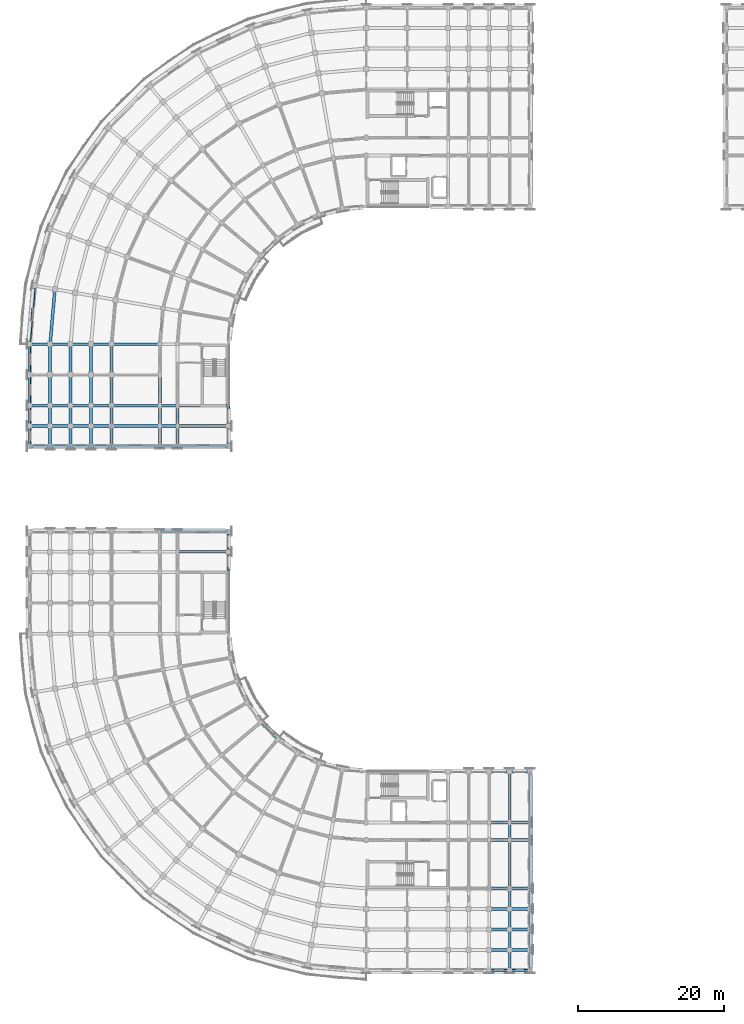
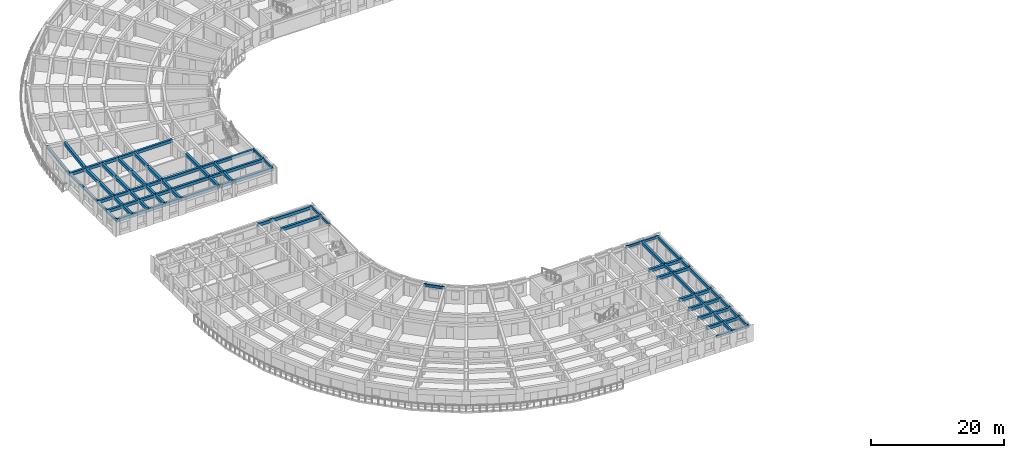
# One storey, part 7 of 57: 91 beams.
"""IFC4 building model written with IfcOpenShell, lengths in metres."""

from ifc_helpers import new_model, si_unit, direction, frame, origin, origin_2d, place, context, subcontext, project, spatial, rectangle, extrude, material, material_profile, profile_set, type_object, element, save


model = new_model("IFC4")

# Units and contexts
model_context = context("Model", 3, precision=1e-05, world=origin(), true_north=direction((0.0, 1.0)))
body_context = subcontext(model_context, "Body", "Model", "MODEL_VIEW")
ifc_project = project(units=[si_unit("LENGTHUNIT", "METRE"), si_unit("AREAUNIT", "SQUARE_METRE"), si_unit("VOLUMEUNIT", "CUBIC_METRE"), si_unit("PLANEANGLEUNIT", "RADIAN"), si_unit("MASSUNIT", "GRAM", prefix="KILO")], contexts=[model_context])

# Site, building, storey
site_placement = place(None, origin())
site = spatial("IfcSite", under=ifc_project, at=site_placement, CompositionType="ELEMENT")
building_placement = place(site_placement, origin())
building = spatial("IfcBuilding", under=site, at=building_placement, Name="Kiranvali Square Residences", CompositionType="ELEMENT")
storey_placement = place(building_placement, frame((0.0, 0.0, 18.14990234375)))
storey = spatial("IfcBuildingStorey", under=building, at=storey_placement, Name="L05", CompositionType="ELEMENT", Elevation=18.14990234375)

# Beams
ifc_material_1 = material(Name="Concrete M40 (40 MPa)", Category="concrete")
ifc_material_profile_1 = material_profile(ifc_material_1, rectangle(XDim=0.35009765625, YDim=0.550048828125, at=origin_2d()), Name="RC 350x550")
ifc_profile_set_1 = profile_set([ifc_material_profile_1], Name="Concrete M40 (40 MPa)")
beam_type_1 = type_object("IfcBeamType", Name="BM-M40-350x550", PredefinedType="BEAM", material=ifc_profile_set_1)
beam_1_placement = place(storey_placement, frame((20.0, 87.800048828125, 2.655029296875), z_axis=(-1.0, 0.0, 0.0), x_axis=(0.0, -1.0, 0.0)))
element("IfcBeam", 1, at=beam_1_placement, inside=storey, type_object=beam_type_1, Name="L05 beam BM-A-L05-A2T0-23", PredefinedType="BEAM", context=body_context, shape_type="SweptSolid", body=[
    extrude(rectangle(XDim=0.35009765625, YDim=0.550048828125, at=origin_2d()), origin(), (0.0, 0.0, 1.0), 6.60009765625),
])
beam_2_placement = place(storey_placement, frame((13.39990234375, 87.800048828125, 2.655029296875), z_axis=(-1.0, 0.0, 0.0), x_axis=(0.0, -1.0, 0.0)))
element("IfcBeam", 2, at=beam_2_placement, inside=storey, type_object=beam_type_1, Name="L05 beam BM-A-L05-A2T0-34", PredefinedType="BEAM", context=body_context, shape_type="SweptSolid", body=[
    extrude(rectangle(XDim=0.35009765625, YDim=0.550048828125, at=origin_2d()), origin(), (0.0, 0.0, 1.0), 2.7998046875),
])
for number, where, z_axis, x_axis, name in (
    (3, (10.60009765625, 87.800048828125, 2.655029296875), (-1.0, 0.0, 0.0), (0.0, -1.0, 0.0), "L05 beam BM-A-L05-A2T0-45"),
    (4, (7.800048828125, 87.800048828125, 2.655029296875), (-1.0, 0.0, 0.0), (0.0, -1.0, 0.0), "L05 beam BM-A-L05-A2T0-56"),
    (5, (5.0, 87.800048828125, 2.655029296875), (-1.0, 0.0, 0.0), (0.0, -1.0, 0.0), "L05 beam BM-A-L05-A2T0-67"),
):
    element("IfcBeam", number, at=place(storey_placement, frame(where, z_axis=z_axis, x_axis=x_axis)), inside=storey, type_object=beam_type_1, Name=name, PredefinedType="BEAM", context=body_context, shape_type="SweptSolid", body=[
        extrude(rectangle(XDim=0.35009765625, YDim=0.550048828125, at=origin_2d()), origin(), (0.0, 0.0, 1.0), 2.800048828125),
    ])
beam_3_placement = place(storey_placement, frame((29.39990234375, 79.39990234375, 2.655029296875), z_axis=(-1.0, 0.0, 0.0), x_axis=(0.0, -1.0, 0.0)))
element("IfcBeam", 6, at=beam_3_placement, inside=storey, type_object=beam_type_1, Name="L05 beam BM-A-L05-A2T1-01", PredefinedType="BEAM", context=body_context, shape_type="SweptSolid", body=[
    extrude(rectangle(XDim=0.35009765625, YDim=0.550048828125, at=origin_2d()), origin(), (0.0, 0.0, 1.0), 7.0),
])
beam_4_placement = place(storey_placement, frame((22.39990234375, 79.39990234375, 2.655029296875), z_axis=(-1.0, 0.0, 0.0), x_axis=(0.0, -1.0, 0.0)))
element("IfcBeam", 7, at=beam_4_placement, inside=storey, type_object=beam_type_1, Name="L05 beam BM-A-L05-A2T1-12", PredefinedType="BEAM", context=body_context, shape_type="SweptSolid", body=[
    extrude(rectangle(XDim=0.35009765625, YDim=0.550048828125, at=origin_2d()), origin(), (0.0, 0.0, 1.0), 2.39990234375),
])
beam_5_placement = place(storey_placement, frame((20.0, 79.39990234375, 2.655029296875), z_axis=(-1.0, 0.0, 0.0), x_axis=(0.0, -1.0, 0.0)))
element("IfcBeam", 8, at=beam_5_placement, inside=storey, type_object=beam_type_1, Name="L05 beam BM-A-L05-A2T1-23", PredefinedType="BEAM", context=body_context, shape_type="SweptSolid", body=[
    extrude(rectangle(XDim=0.35009765625, YDim=0.550048828125, at=origin_2d()), origin(), (0.0, 0.0, 1.0), 6.60009765625),
])
beam_6_placement = place(storey_placement, frame((13.39990234375, 79.39990234375, 2.655029296875), z_axis=(-1.0, 0.0, 0.0), x_axis=(0.0, -1.0, 0.0)))
element("IfcBeam", 9, at=beam_6_placement, inside=storey, type_object=beam_type_1, Name="L05 beam BM-A-L05-A2T1-34", PredefinedType="BEAM", context=body_context, shape_type="SweptSolid", body=[
    extrude(rectangle(XDim=0.35009765625, YDim=0.550048828125, at=origin_2d()), origin(), (0.0, 0.0, 1.0), 2.7998046875),
])
for number, where, z_axis, x_axis, name in (
    (10, (10.60009765625, 79.39990234375, 2.655029296875), (-1.0, 0.0, 0.0), (0.0, -1.0, 0.0), "L05 beam BM-A-L05-A2T1-45"),
    (11, (7.800048828125, 79.39990234375, 2.655029296875), (-1.0, 0.0, 0.0), (0.0, -1.0, 0.0), "L05 beam BM-A-L05-A2T1-56"),
    (12, (5.0, 79.39990234375, 2.655029296875), (-1.0, 0.0, 0.0), (0.0, -1.0, 0.0), "L05 beam BM-A-L05-A2T1-67"),
):
    element("IfcBeam", number, at=place(storey_placement, frame(where, z_axis=z_axis, x_axis=x_axis)), inside=storey, type_object=beam_type_1, Name=name, PredefinedType="BEAM", context=body_context, shape_type="SweptSolid", body=[
        extrude(rectangle(XDim=0.35009765625, YDim=0.550048828125, at=origin_2d()), origin(), (0.0, 0.0, 1.0), 2.800048828125),
    ])
beam_7_placement = place(storey_placement, frame((29.39990234375, 76.60009765625, 2.655029296875), z_axis=(-1.0, 0.0, 0.0), x_axis=(0.0, -1.0, 0.0)))
element("IfcBeam", 13, at=beam_7_placement, inside=storey, type_object=beam_type_1, Name="L05 beam BM-A-L05-A2T2-01", PredefinedType="BEAM", context=body_context, shape_type="SweptSolid", body=[
    extrude(rectangle(XDim=0.35009765625, YDim=0.550048828125, at=origin_2d()), origin(), (0.0, 0.0, 1.0), 7.0),
])
beam_8_placement = place(storey_placement, frame((22.39990234375, 76.60009765625, 2.655029296875), z_axis=(-1.0, 0.0, 0.0), x_axis=(0.0, -1.0, 0.0)))
element("IfcBeam", 14, at=beam_8_placement, inside=storey, type_object=beam_type_1, Name="L05 beam BM-A-L05-A2T2-12", PredefinedType="BEAM", context=body_context, shape_type="SweptSolid", body=[
    extrude(rectangle(XDim=0.35009765625, YDim=0.550048828125, at=origin_2d()), origin(), (0.0, 0.0, 1.0), 2.39990234375),
])
beam_9_placement = place(storey_placement, frame((20.0, 76.60009765625, 2.655029296875), z_axis=(-1.0, 0.0, 0.0), x_axis=(0.0, -1.0, 0.0)))
element("IfcBeam", 15, at=beam_9_placement, inside=storey, type_object=beam_type_1, Name="L05 beam BM-A-L05-A2T2-23", PredefinedType="BEAM", context=body_context, shape_type="SweptSolid", body=[
    extrude(rectangle(XDim=0.35009765625, YDim=0.550048828125, at=origin_2d()), origin(), (0.0, 0.0, 1.0), 6.60009765625),
])
beam_10_placement = place(storey_placement, frame((13.39990234375, 76.60009765625, 2.655029296875), z_axis=(-1.0, 0.0, 0.0), x_axis=(0.0, -1.0, 0.0)))
element("IfcBeam", 16, at=beam_10_placement, inside=storey, type_object=beam_type_1, Name="L05 beam BM-A-L05-A2T2-34", PredefinedType="BEAM", context=body_context, shape_type="SweptSolid", body=[
    extrude(rectangle(XDim=0.35009765625, YDim=0.550048828125, at=origin_2d()), origin(), (0.0, 0.0, 1.0), 2.7998046875),
])
for number, where, z_axis, x_axis, name in (
    (17, (10.60009765625, 76.60009765625, 2.655029296875), (-1.0, 0.0, 0.0), (0.0, -1.0, 0.0), "L05 beam BM-A-L05-A2T2-45"),
    (18, (7.800048828125, 76.60009765625, 2.655029296875), (-1.0, 0.0, 0.0), (0.0, -1.0, 0.0), "L05 beam BM-A-L05-A2T2-56"),
    (19, (5.0, 76.60009765625, 2.655029296875), (-1.0, 0.0, 0.0), (0.0, -1.0, 0.0), "L05 beam BM-A-L05-A2T2-67"),
):
    element("IfcBeam", number, at=place(storey_placement, frame(where, z_axis=z_axis, x_axis=x_axis)), inside=storey, type_object=beam_type_1, Name=name, PredefinedType="BEAM", context=body_context, shape_type="SweptSolid", body=[
        extrude(rectangle(XDim=0.35009765625, YDim=0.550048828125, at=origin_2d()), origin(), (0.0, 0.0, 1.0), 2.800048828125),
    ])
beam_11_placement = place(storey_placement, frame((29.39990234375, 73.800048828125, 2.655029296875), z_axis=(-1.0, 0.0, 0.0), x_axis=(0.0, -1.0, 0.0)))
element("IfcBeam", 20, at=beam_11_placement, inside=storey, type_object=beam_type_1, Name="L05 beam BM-A-L05-A2T3-01", PredefinedType="BEAM", context=body_context, shape_type="SweptSolid", body=[
    extrude(rectangle(XDim=0.35009765625, YDim=0.550048828125, at=origin_2d()), origin(), (0.0, 0.0, 1.0), 7.0),
])
beam_12_placement = place(storey_placement, frame((22.39990234375, 73.800048828125, 2.655029296875), z_axis=(-1.0, 0.0, 0.0), x_axis=(0.0, -1.0, 0.0)))
element("IfcBeam", 21, at=beam_12_placement, inside=storey, type_object=beam_type_1, Name="L05 beam BM-A-L05-A2T3-12", PredefinedType="BEAM", context=body_context, shape_type="SweptSolid", body=[
    extrude(rectangle(XDim=0.35009765625, YDim=0.550048828125, at=origin_2d()), origin(), (0.0, 0.0, 1.0), 2.39990234375),
])
beam_13_placement = place(storey_placement, frame((20.0, 73.800048828125, 2.655029296875), z_axis=(-1.0, 0.0, 0.0), x_axis=(0.0, -1.0, 0.0)))
element("IfcBeam", 22, at=beam_13_placement, inside=storey, type_object=beam_type_1, Name="L05 beam BM-A-L05-A2T3-23", PredefinedType="BEAM", context=body_context, shape_type="SweptSolid", body=[
    extrude(rectangle(XDim=0.35009765625, YDim=0.550048828125, at=origin_2d()), origin(), (0.0, 0.0, 1.0), 6.60009765625),
])
beam_14_placement = place(storey_placement, frame((13.39990234375, 73.800048828125, 2.655029296875), z_axis=(-1.0, 0.0, 0.0), x_axis=(0.0, -1.0, 0.0)))
element("IfcBeam", 23, at=beam_14_placement, inside=storey, type_object=beam_type_1, Name="L05 beam BM-A-L05-A2T3-34", PredefinedType="BEAM", context=body_context, shape_type="SweptSolid", body=[
    extrude(rectangle(XDim=0.35009765625, YDim=0.550048828125, at=origin_2d()), origin(), (0.0, 0.0, 1.0), 2.7998046875),
])
for number, where, z_axis, x_axis, name in (
    (24, (10.60009765625, 73.800048828125, 2.655029296875), (-1.0, 0.0, 0.0), (0.0, -1.0, 0.0), "L05 beam BM-A-L05-A2T3-45"),
    (25, (7.800048828125, 73.800048828125, 2.655029296875), (-1.0, 0.0, 0.0), (0.0, -1.0, 0.0), "L05 beam BM-A-L05-A2T3-56"),
    (26, (5.0, 73.800048828125, 2.655029296875), (-1.0, 0.0, 0.0), (0.0, -1.0, 0.0), "L05 beam BM-A-L05-A2T3-67"),
):
    element("IfcBeam", number, at=place(storey_placement, frame(where, z_axis=z_axis, x_axis=x_axis)), inside=storey, type_object=beam_type_1, Name=name, PredefinedType="BEAM", context=body_context, shape_type="SweptSolid", body=[
        extrude(rectangle(XDim=0.35009765625, YDim=0.550048828125, at=origin_2d()), origin(), (0.0, 0.0, 1.0), 2.800048828125),
    ])
beam_15_placement = place(storey_placement, frame((67.800048828125, 29.39990234375, 2.655029296875), z_axis=(0.0, -1.0, 0.0), x_axis=(1.0, 0.0, 0.0)))
element("IfcBeam", 27, at=beam_15_placement, inside=storey, type_object=beam_type_1, Name="L05 beam BM-C-L05-A1T4-01", PredefinedType="BEAM", context=body_context, shape_type="SweptSolid", body=[
    extrude(rectangle(XDim=0.35009765625, YDim=0.550048828125, at=origin_2d()), origin(), (0.0, 0.0, 1.0), 7.0),
])
beam_16_placement = place(storey_placement, frame((67.800048828125, 22.39990234375, 2.655029296875), z_axis=(0.0, -1.0, 0.0), x_axis=(1.0, 0.0, 0.0)))
element("IfcBeam", 28, at=beam_16_placement, inside=storey, type_object=beam_type_1, Name="L05 beam BM-C-L05-A1T4-12", PredefinedType="BEAM", context=body_context, shape_type="SweptSolid", body=[
    extrude(rectangle(XDim=0.35009765625, YDim=0.550048828125, at=origin_2d()), origin(), (0.0, 0.0, 1.0), 2.39990234375),
])
beam_17_placement = place(storey_placement, frame((67.800048828125, 20.0, 2.655029296875), z_axis=(0.0, -1.0, 0.0), x_axis=(1.0, 0.0, 0.0)))
element("IfcBeam", 29, at=beam_17_placement, inside=storey, type_object=beam_type_1, Name="L05 beam BM-C-L05-A1T4-23", PredefinedType="BEAM", context=body_context, shape_type="SweptSolid", body=[
    extrude(rectangle(XDim=0.35009765625, YDim=0.550048828125, at=origin_2d()), origin(), (0.0, 0.0, 1.0), 6.60009765625),
])
beam_18_placement = place(storey_placement, frame((67.800048828125, 13.39990234375, 2.655029296875), z_axis=(0.0, -1.0, 0.0), x_axis=(1.0, 0.0, 0.0)))
element("IfcBeam", 30, at=beam_18_placement, inside=storey, type_object=beam_type_1, Name="L05 beam BM-C-L05-A1T4-34", PredefinedType="BEAM", context=body_context, shape_type="SweptSolid", body=[
    extrude(rectangle(XDim=0.35009765625, YDim=0.550048828125, at=origin_2d()), origin(), (0.0, 0.0, 1.0), 2.7998046875),
])
for number, where, z_axis, x_axis, name in (
    (31, (67.800048828125, 10.60009765625, 2.655029296875), (0.0, -1.0, 0.0), (1.0, 0.0, 0.0), "L05 beam BM-C-L05-A1T4-45"),
    (32, (67.800048828125, 7.800048828125, 2.655029296875), (0.0, -1.0, 0.0), (1.0, 0.0, 0.0), "L05 beam BM-C-L05-A1T4-56"),
    (33, (67.800048828125, 5.0, 2.695068359375), (0.0, -1.0, 0.0), (1.0, 0.0, 0.0), "L05 beam BM-C-L05-A1T4-67"),
):
    element("IfcBeam", number, at=place(storey_placement, frame(where, z_axis=z_axis, x_axis=x_axis)), inside=storey, type_object=beam_type_1, Name=name, PredefinedType="BEAM", context=body_context, shape_type="SweptSolid", body=[
        extrude(rectangle(XDim=0.35009765625, YDim=0.550048828125, at=origin_2d()), origin(), (0.0, 0.0, 1.0), 2.800048828125),
    ])
beam_19_placement = place(storey_placement, frame((70.60009765625, 29.39990234375, 2.655029296875), z_axis=(0.0, -1.0, 0.0), x_axis=(1.0, 0.0, 0.0)))
element("IfcBeam", 34, at=beam_19_placement, inside=storey, type_object=beam_type_1, Name="L05 beam BM-C-L05-A1T5-01", PredefinedType="BEAM", context=body_context, shape_type="SweptSolid", body=[
    extrude(rectangle(XDim=0.35009765625, YDim=0.550048828125, at=origin_2d()), origin(), (0.0, 0.0, 1.0), 7.0),
])
beam_20_placement = place(storey_placement, frame((70.60009765625, 22.39990234375, 2.655029296875), z_axis=(0.0, -1.0, 0.0), x_axis=(1.0, 0.0, 0.0)))
element("IfcBeam", 35, at=beam_20_placement, inside=storey, type_object=beam_type_1, Name="L05 beam BM-C-L05-A1T5-12", PredefinedType="BEAM", context=body_context, shape_type="SweptSolid", body=[
    extrude(rectangle(XDim=0.35009765625, YDim=0.550048828125, at=origin_2d()), origin(), (0.0, 0.0, 1.0), 2.39990234375),
])
beam_21_placement = place(storey_placement, frame((70.60009765625, 20.0, 2.655029296875), z_axis=(0.0, -1.0, 0.0), x_axis=(1.0, 0.0, 0.0)))
element("IfcBeam", 36, at=beam_21_placement, inside=storey, type_object=beam_type_1, Name="L05 beam BM-C-L05-A1T5-23", PredefinedType="BEAM", context=body_context, shape_type="SweptSolid", body=[
    extrude(rectangle(XDim=0.35009765625, YDim=0.550048828125, at=origin_2d()), origin(), (0.0, 0.0, 1.0), 6.60009765625),
])
beam_22_placement = place(storey_placement, frame((70.60009765625, 13.39990234375, 2.655029296875), z_axis=(0.0, -1.0, 0.0), x_axis=(1.0, 0.0, 0.0)))
element("IfcBeam", 37, at=beam_22_placement, inside=storey, type_object=beam_type_1, Name="L05 beam BM-C-L05-A1T5-34", PredefinedType="BEAM", context=body_context, shape_type="SweptSolid", body=[
    extrude(rectangle(XDim=0.35009765625, YDim=0.550048828125, at=origin_2d()), origin(), (0.0, 0.0, 1.0), 2.7998046875),
])
for number, where, z_axis, x_axis, name in (
    (38, (70.60009765625, 10.60009765625, 2.655029296875), (0.0, -1.0, 0.0), (1.0, 0.0, 0.0), "L05 beam BM-C-L05-A1T5-45"),
    (39, (70.60009765625, 7.800048828125, 2.655029296875), (0.0, -1.0, 0.0), (1.0, 0.0, 0.0), "L05 beam BM-C-L05-A1T5-56"),
    (40, (70.60009765625, 5.0, 2.695068359375), (0.0, -1.0, 0.0), (1.0, 0.0, 0.0), "L05 beam BM-C-L05-A1T5-67"),
):
    element("IfcBeam", number, at=place(storey_placement, frame(where, z_axis=z_axis, x_axis=x_axis)), inside=storey, type_object=beam_type_1, Name=name, PredefinedType="BEAM", context=body_context, shape_type="SweptSolid", body=[
        extrude(rectangle(XDim=0.35009765625, YDim=0.550048828125, at=origin_2d()), origin(), (0.0, 0.0, 1.0), 2.800048828125),
    ])
for number, where, z_axis, x_axis, name in (
    (41, (29.39990234375, 59.39990234375, 2.655029296875), (-1.0, 0.0, 0.0), (0.0, -1.0, 0.0), "L05 beam BM-C-L05-A2T2-01"),
    (42, (29.39990234375, 62.199951171875, 2.655029296875), (-1.0, 0.0, 0.0), (0.0, -1.0, 0.0), "L05 beam BM-C-L05-A2T3-01"),
):
    element("IfcBeam", number, at=place(storey_placement, frame(where, z_axis=z_axis, x_axis=x_axis)), inside=storey, type_object=beam_type_1, Name=name, PredefinedType="BEAM", context=body_context, shape_type="SweptSolid", body=[
        extrude(rectangle(XDim=0.35009765625, YDim=0.550048828125, at=origin_2d()), origin(), (0.0, 0.0, 1.0), 7.0),
    ])
beam_23_placement = place(storey_placement, frame((22.39990234375, 62.199951171875, 2.655029296875), z_axis=(-1.0, 0.0, 0.0), x_axis=(0.0, -1.0, 0.0)))
element("IfcBeam", 43, at=beam_23_placement, inside=storey, type_object=beam_type_1, Name="L05 beam BM-C-L05-A2T3-12", PredefinedType="BEAM", context=body_context, shape_type="SweptSolid", body=[
    extrude(rectangle(XDim=0.35009765625, YDim=0.550048828125, at=origin_2d()), origin(), (0.0, 0.0, 1.0), 2.39990234375),
])
ifc_material_2 = material(Name="Concrete M45 (45 MPa)", Category="concrete")
ifc_material_profile_2 = material_profile(ifc_material_2, rectangle(XDim=0.39990234375, YDim=0.550048828125, at=origin_2d()), Name="RC 400x550")
ifc_profile_set_2 = profile_set([ifc_material_profile_2], Name="Concrete M45 (45 MPa)")
beam_type_2 = type_object("IfcBeamType", Name="BM-M45-400x550", PredefinedType="BEAM", material=ifc_profile_set_2)
beam_24_placement = place(storey_placement, frame((5.65625, 95.301513671875, 2.655029296875), z_axis=(-0.087150058103, -0.996195195417, 0.0), x_axis=(0.996195195417, -0.087150058103, 0.0)))
element("IfcBeam", 44, at=beam_24_placement, inside=storey, type_object=beam_type_2, Name="L05 beam BM-A-L05-C08-R6", PredefinedType="BEAM", context=body_context, shape_type="SweptSolid", body=[
    extrude(rectangle(XDim=0.39990234375, YDim=0.550048828125, at=origin_2d()), origin(), (0.0, 0.0, 1.0), 7.530029296875),
])
beam_25_placement = place(storey_placement, frame((22.39990234375, 79.39990234375, 2.655029296875), z_axis=(0.0, -1.0, 0.0), x_axis=(1.0, 0.0, 0.0)))
element("IfcBeam", 45, at=beam_25_placement, inside=storey, type_object=beam_type_2, Name="L05 beam BM-A-L05-A2V1-R1", PredefinedType="BEAM", context=body_context, shape_type="SweptSolid", body=[
    extrude(rectangle(XDim=0.39990234375, YDim=0.550048828125, at=origin_2d()), origin(), (0.0, 0.0, 1.0), 2.7998046875),
])
beam_26_placement = place(storey_placement, frame((22.39990234375, 76.60009765625, 2.655029296875), z_axis=(0.0, -1.0, 0.0), x_axis=(1.0, 0.0, 0.0)))
element("IfcBeam", 46, at=beam_26_placement, inside=storey, type_object=beam_type_2, Name="L05 beam BM-A-L05-A2V2-R1", PredefinedType="BEAM", context=body_context, shape_type="SweptSolid", body=[
    extrude(rectangle(XDim=0.39990234375, YDim=0.550048828125, at=origin_2d()), origin(), (0.0, 0.0, 1.0), 2.800048828125),
])
beam_27_placement = place(storey_placement, frame((20.0, 83.60009765625, 2.655029296875), z_axis=(0.0, -1.0, 0.0), x_axis=(1.0, 0.0, 0.0)))
element("IfcBeam", 47, at=beam_27_placement, inside=storey, type_object=beam_type_2, Name="L05 beam BM-A-L05-A2V1-R2", PredefinedType="BEAM", context=body_context, shape_type="SweptSolid", body=[
    extrude(rectangle(XDim=0.39990234375, YDim=0.550048828125, at=origin_2d()), origin(), (0.0, 0.0, 1.0), 4.2001953125),
])
beam_28_placement = place(storey_placement, frame((20.0, 79.39990234375, 2.655029296875), z_axis=(0.0, -1.0, 0.0), x_axis=(1.0, 0.0, 0.0)))
element("IfcBeam", 48, at=beam_28_placement, inside=storey, type_object=beam_type_2, Name="L05 beam BM-A-L05-A2V2-R2", PredefinedType="BEAM", context=body_context, shape_type="SweptSolid", body=[
    extrude(rectangle(XDim=0.39990234375, YDim=0.550048828125, at=origin_2d()), origin(), (0.0, 0.0, 1.0), 2.7998046875),
])
beam_29_placement = place(storey_placement, frame((20.0, 76.60009765625, 2.655029296875), z_axis=(0.0, -1.0, 0.0), x_axis=(1.0, 0.0, 0.0)))
element("IfcBeam", 49, at=beam_29_placement, inside=storey, type_object=beam_type_2, Name="L05 beam BM-A-L05-A2V3-R2", PredefinedType="BEAM", context=body_context, shape_type="SweptSolid", body=[
    extrude(rectangle(XDim=0.39990234375, YDim=0.550048828125, at=origin_2d()), origin(), (0.0, 0.0, 1.0), 2.800048828125),
])
beam_30_placement = place(storey_placement, frame((13.39990234375, 87.800048828125, 2.655029296875), z_axis=(0.0, -1.0, 0.0), x_axis=(1.0, 0.0, 0.0)))
element("IfcBeam", 50, at=beam_30_placement, inside=storey, type_object=beam_type_2, Name="L05 beam BM-A-L05-A2V0-R3", PredefinedType="BEAM", context=body_context, shape_type="SweptSolid", body=[
    extrude(rectangle(XDim=0.39990234375, YDim=0.550048828125, at=origin_2d()), origin(), (0.0, 0.0, 1.0), 4.199951171875),
])
beam_31_placement = place(storey_placement, frame((13.39990234375, 83.60009765625, 2.655029296875), z_axis=(0.0, -1.0, 0.0), x_axis=(1.0, 0.0, 0.0)))
element("IfcBeam", 51, at=beam_31_placement, inside=storey, type_object=beam_type_2, Name="L05 beam BM-A-L05-A2V1-R3", PredefinedType="BEAM", context=body_context, shape_type="SweptSolid", body=[
    extrude(rectangle(XDim=0.39990234375, YDim=0.550048828125, at=origin_2d()), origin(), (0.0, 0.0, 1.0), 4.2001953125),
])
beam_32_placement = place(storey_placement, frame((13.39990234375, 79.39990234375, 2.655029296875), z_axis=(0.0, -1.0, 0.0), x_axis=(1.0, 0.0, 0.0)))
element("IfcBeam", 52, at=beam_32_placement, inside=storey, type_object=beam_type_2, Name="L05 beam BM-A-L05-A2V2-R3", PredefinedType="BEAM", context=body_context, shape_type="SweptSolid", body=[
    extrude(rectangle(XDim=0.39990234375, YDim=0.550048828125, at=origin_2d()), origin(), (0.0, 0.0, 1.0), 2.7998046875),
])
beam_33_placement = place(storey_placement, frame((13.39990234375, 76.60009765625, 2.655029296875), z_axis=(0.0, -1.0, 0.0), x_axis=(1.0, 0.0, 0.0)))
element("IfcBeam", 53, at=beam_33_placement, inside=storey, type_object=beam_type_2, Name="L05 beam BM-A-L05-A2V3-R3", PredefinedType="BEAM", context=body_context, shape_type="SweptSolid", body=[
    extrude(rectangle(XDim=0.39990234375, YDim=0.550048828125, at=origin_2d()), origin(), (0.0, 0.0, 1.0), 2.800048828125),
])
beam_34_placement = place(storey_placement, frame((10.60009765625, 87.800048828125, 2.655029296875), z_axis=(0.0, -1.0, 0.0), x_axis=(1.0, 0.0, 0.0)))
element("IfcBeam", 54, at=beam_34_placement, inside=storey, type_object=beam_type_2, Name="L05 beam BM-A-L05-A2V0-R4", PredefinedType="BEAM", context=body_context, shape_type="SweptSolid", body=[
    extrude(rectangle(XDim=0.39990234375, YDim=0.550048828125, at=origin_2d()), origin(), (0.0, 0.0, 1.0), 4.199951171875),
])
beam_35_placement = place(storey_placement, frame((10.60009765625, 83.60009765625, 2.655029296875), z_axis=(0.0, -1.0, 0.0), x_axis=(1.0, 0.0, 0.0)))
element("IfcBeam", 55, at=beam_35_placement, inside=storey, type_object=beam_type_2, Name="L05 beam BM-A-L05-A2V1-R4", PredefinedType="BEAM", context=body_context, shape_type="SweptSolid", body=[
    extrude(rectangle(XDim=0.39990234375, YDim=0.550048828125, at=origin_2d()), origin(), (0.0, 0.0, 1.0), 4.2001953125),
])
beam_36_placement = place(storey_placement, frame((10.60009765625, 79.39990234375, 2.655029296875), z_axis=(0.0, -1.0, 0.0), x_axis=(1.0, 0.0, 0.0)))
element("IfcBeam", 56, at=beam_36_placement, inside=storey, type_object=beam_type_2, Name="L05 beam BM-A-L05-A2V2-R4", PredefinedType="BEAM", context=body_context, shape_type="SweptSolid", body=[
    extrude(rectangle(XDim=0.39990234375, YDim=0.550048828125, at=origin_2d()), origin(), (0.0, 0.0, 1.0), 2.7998046875),
])
beam_37_placement = place(storey_placement, frame((10.60009765625, 76.60009765625, 2.655029296875), z_axis=(0.0, -1.0, 0.0), x_axis=(1.0, 0.0, 0.0)))
element("IfcBeam", 57, at=beam_37_placement, inside=storey, type_object=beam_type_2, Name="L05 beam BM-A-L05-A2V3-R4", PredefinedType="BEAM", context=body_context, shape_type="SweptSolid", body=[
    extrude(rectangle(XDim=0.39990234375, YDim=0.550048828125, at=origin_2d()), origin(), (0.0, 0.0, 1.0), 2.800048828125),
])
beam_38_placement = place(storey_placement, frame((7.800048828125, 87.800048828125, 2.655029296875), z_axis=(0.0, -1.0, 0.0), x_axis=(1.0, 0.0, 0.0)))
element("IfcBeam", 58, at=beam_38_placement, inside=storey, type_object=beam_type_2, Name="L05 beam BM-A-L05-A2V0-R5", PredefinedType="BEAM", context=body_context, shape_type="SweptSolid", body=[
    extrude(rectangle(XDim=0.39990234375, YDim=0.550048828125, at=origin_2d()), origin(), (0.0, 0.0, 1.0), 4.199951171875),
])
beam_39_placement = place(storey_placement, frame((7.800048828125, 83.60009765625, 2.655029296875), z_axis=(0.0, -1.0, 0.0), x_axis=(1.0, 0.0, 0.0)))
element("IfcBeam", 59, at=beam_39_placement, inside=storey, type_object=beam_type_2, Name="L05 beam BM-A-L05-A2V1-R5", PredefinedType="BEAM", context=body_context, shape_type="SweptSolid", body=[
    extrude(rectangle(XDim=0.39990234375, YDim=0.550048828125, at=origin_2d()), origin(), (0.0, 0.0, 1.0), 4.2001953125),
])
beam_40_placement = place(storey_placement, frame((7.800048828125, 79.39990234375, 2.655029296875), z_axis=(0.0, -1.0, 0.0), x_axis=(1.0, 0.0, 0.0)))
element("IfcBeam", 60, at=beam_40_placement, inside=storey, type_object=beam_type_2, Name="L05 beam BM-A-L05-A2V2-R5", PredefinedType="BEAM", context=body_context, shape_type="SweptSolid", body=[
    extrude(rectangle(XDim=0.39990234375, YDim=0.550048828125, at=origin_2d()), origin(), (0.0, 0.0, 1.0), 2.7998046875),
])
beam_41_placement = place(storey_placement, frame((7.800048828125, 76.60009765625, 2.655029296875), z_axis=(0.0, -1.0, 0.0), x_axis=(1.0, 0.0, 0.0)))
element("IfcBeam", 61, at=beam_41_placement, inside=storey, type_object=beam_type_2, Name="L05 beam BM-A-L05-A2V3-R5", PredefinedType="BEAM", context=body_context, shape_type="SweptSolid", body=[
    extrude(rectangle(XDim=0.39990234375, YDim=0.550048828125, at=origin_2d()), origin(), (0.0, 0.0, 1.0), 2.800048828125),
])
beam_42_placement = place(storey_placement, frame((5.0, 87.800048828125, 2.655029296875), z_axis=(0.0, -1.0, 0.0), x_axis=(1.0, 0.0, 0.0)))
element("IfcBeam", 62, at=beam_42_placement, inside=storey, type_object=beam_type_2, Name="L05 beam BM-A-L05-A2V0-R6", PredefinedType="BEAM", context=body_context, shape_type="SweptSolid", body=[
    extrude(rectangle(XDim=0.39990234375, YDim=0.550048828125, at=origin_2d()), origin(), (0.0, 0.0, 1.0), 4.199951171875),
])
beam_43_placement = place(storey_placement, frame((5.0, 83.60009765625, 2.655029296875), z_axis=(0.0, -1.0, 0.0), x_axis=(1.0, 0.0, 0.0)))
element("IfcBeam", 63, at=beam_43_placement, inside=storey, type_object=beam_type_2, Name="L05 beam BM-A-L05-A2V1-R6", PredefinedType="BEAM", context=body_context, shape_type="SweptSolid", body=[
    extrude(rectangle(XDim=0.39990234375, YDim=0.550048828125, at=origin_2d()), origin(), (0.0, 0.0, 1.0), 4.2001953125),
])
beam_44_placement = place(storey_placement, frame((5.0, 79.39990234375, 2.655029296875), z_axis=(0.0, -1.0, 0.0), x_axis=(1.0, 0.0, 0.0)))
element("IfcBeam", 64, at=beam_44_placement, inside=storey, type_object=beam_type_2, Name="L05 beam BM-A-L05-A2V2-R6", PredefinedType="BEAM", context=body_context, shape_type="SweptSolid", body=[
    extrude(rectangle(XDim=0.39990234375, YDim=0.550048828125, at=origin_2d()), origin(), (0.0, 0.0, 1.0), 2.7998046875),
])
for number, where, z_axis, x_axis, name in (
    (65, (5.0, 76.60009765625, 2.655029296875), (0.0, -1.0, 0.0), (1.0, 0.0, 0.0), "L05 beam BM-A-L05-A2V3-R6"),
    (66, (65.0, 22.39990234375, 2.655029296875), (1.0, 0.0, 0.0), (0.0, 1.0, 0.0), "L05 beam BM-C-L05-A1U3-R1"),
    (67, (67.800048828125, 22.39990234375, 2.655029296875), (1.0, 0.0, 0.0), (0.0, 1.0, 0.0), "L05 beam BM-C-L05-A1U4-R1"),
    (68, (65.0, 20.0, 2.655029296875), (1.0, 0.0, 0.0), (0.0, 1.0, 0.0), "L05 beam BM-C-L05-A1U3-R2"),
    (69, (67.800048828125, 20.0, 2.655029296875), (1.0, 0.0, 0.0), (0.0, 1.0, 0.0), "L05 beam BM-C-L05-A1U4-R2"),
    (70, (65.0, 13.39990234375, 2.655029296875), (1.0, 0.0, 0.0), (0.0, 1.0, 0.0), "L05 beam BM-C-L05-A1U3-R3"),
    (71, (67.800048828125, 13.39990234375, 2.655029296875), (1.0, 0.0, 0.0), (0.0, 1.0, 0.0), "L05 beam BM-C-L05-A1U4-R3"),
    (72, (65.0, 10.60009765625, 2.655029296875), (1.0, 0.0, 0.0), (0.0, 1.0, 0.0), "L05 beam BM-C-L05-A1U4-R4"),
    (73, (67.800048828125, 10.60009765625, 2.655029296875), (1.0, 0.0, 0.0), (0.0, 1.0, 0.0), "L05 beam BM-C-L05-A1U5-R4"),
    (74, (65.0, 7.800048828125, 2.655029296875), (1.0, 0.0, 0.0), (0.0, 1.0, 0.0), "L05 beam BM-C-L05-A1U4-R5"),
    (75, (67.800048828125, 7.800048828125, 2.655029296875), (1.0, 0.0, 0.0), (0.0, 1.0, 0.0), "L05 beam BM-C-L05-A1U5-R5"),
    (76, (65.0, 5.0, 2.655029296875), (1.0, 0.0, 0.0), (0.0, 1.0, 0.0), "L05 beam BM-C-L05-A1U4-R6"),
    (77, (67.800048828125, 5.0, 2.655029296875), (1.0, 0.0, 0.0), (0.0, 1.0, 0.0), "L05 beam BM-C-L05-A1U5-R6"),
):
    element("IfcBeam", number, at=place(storey_placement, frame(where, z_axis=z_axis, x_axis=x_axis)), inside=storey, type_object=beam_type_2, Name=name, PredefinedType="BEAM", context=body_context, shape_type="SweptSolid", body=[
        extrude(rectangle(XDim=0.39990234375, YDim=0.550048828125, at=origin_2d()), origin(), (0.0, 0.0, 1.0), 2.800048828125),
    ])
ifc_material_profile_3 = material_profile(ifc_material_1, rectangle(XDim=0.25, YDim=0.449951171875, at=origin_2d()), Name="RC 250x450")
ifc_profile_set_3 = profile_set([ifc_material_profile_3], Name="Concrete M40 (40 MPa)")
beam_type_3 = type_object("IfcBeamType", Name="SPN-M40-250x450", PredefinedType="SPANDREL", material=ifc_profile_set_3)
beam_45_placement = place(storey_placement, frame((29.39990234375, 79.39990234375, 2.705078125), z_axis=(0.0, -1.0, 0.0), x_axis=(1.0, 0.0, 0.0)))
element("IfcBeam", 78, at=beam_45_placement, inside=storey, type_object=beam_type_3, Name="L05 beam BM-A-L05-A2V1-R0", PredefinedType="SPANDREL", context=body_context, shape_type="SweptSolid", body=[
    extrude(rectangle(XDim=0.25, YDim=0.449951171875, at=origin_2d()), origin(), (0.0, 0.0, 1.0), 2.7998046875),
])
beam_46_placement = place(storey_placement, frame((29.39990234375, 76.60009765625, 2.705078125), z_axis=(0.0, -1.0, 0.0), x_axis=(1.0, 0.0, 0.0)))
element("IfcBeam", 79, at=beam_46_placement, inside=storey, type_object=beam_type_3, Name="L05 beam BM-A-L05-A2V2-R0", PredefinedType="SPANDREL", context=body_context, shape_type="SweptSolid", body=[
    extrude(rectangle(XDim=0.25, YDim=0.449951171875, at=origin_2d()), origin(), (0.0, 0.0, 1.0), 2.800048828125),
])
beam_47_placement = place(storey_placement, frame((2.199951171875, 87.800048828125, 2.705078125), z_axis=(0.0, -1.0, 0.0), x_axis=(1.0, 0.0, 0.0)))
element("IfcBeam", 80, at=beam_47_placement, inside=storey, type_object=beam_type_3, Name="L05 beam BM-A-L05-A2V0-R7", PredefinedType="SPANDREL", context=body_context, shape_type="SweptSolid", body=[
    extrude(rectangle(XDim=0.25, YDim=0.449951171875, at=origin_2d()), origin(), (0.0, 0.0, 1.0), 4.199951171875),
])
beam_48_placement = place(storey_placement, frame((2.199951171875, 83.60009765625, 2.705078125), z_axis=(0.0, -1.0, 0.0), x_axis=(1.0, 0.0, 0.0)))
element("IfcBeam", 81, at=beam_48_placement, inside=storey, type_object=beam_type_3, Name="L05 beam BM-A-L05-A2V1-R7", PredefinedType="SPANDREL", context=body_context, shape_type="SweptSolid", body=[
    extrude(rectangle(XDim=0.25, YDim=0.449951171875, at=origin_2d()), origin(), (0.0, 0.0, 1.0), 4.2001953125),
])
beam_49_placement = place(storey_placement, frame((2.199951171875, 79.39990234375, 2.705078125), z_axis=(0.0, -1.0, 0.0), x_axis=(1.0, 0.0, 0.0)))
element("IfcBeam", 82, at=beam_49_placement, inside=storey, type_object=beam_type_3, Name="L05 beam BM-A-L05-A2V2-R7", PredefinedType="SPANDREL", context=body_context, shape_type="SweptSolid", body=[
    extrude(rectangle(XDim=0.25, YDim=0.449951171875, at=origin_2d()), origin(), (0.0, 0.0, 1.0), 2.7998046875),
])
for number, where, z_axis, x_axis, name in (
    (83, (2.199951171875, 76.60009765625, 2.705078125), (0.0, -1.0, 0.0), (1.0, 0.0, 0.0), "L05 beam BM-A-L05-A2V3-R7"),
    (84, (65.0, 29.39990234375, 2.705078125), (1.0, 0.0, 0.0), (0.0, 1.0, 0.0), "L05 beam BM-C-L05-A1U3-R0"),
    (85, (67.800048828125, 29.39990234375, 2.705078125), (1.0, 0.0, 0.0), (0.0, 1.0, 0.0), "L05 beam BM-C-L05-A1U4-R0"),
    (86, (65.0, 2.199951171875, 2.7451171875), (1.0, 0.0, 0.0), (0.0, 1.0, 0.0), "L05 beam BM-C-L05-A1U4-R7"),
    (87, (67.800048828125, 2.199951171875, 2.7451171875), (1.0, 0.0, 0.0), (0.0, 1.0, 0.0), "L05 beam BM-C-L05-A1U5-R7"),
):
    element("IfcBeam", number, at=place(storey_placement, frame(where, z_axis=z_axis, x_axis=x_axis)), inside=storey, type_object=beam_type_3, Name=name, PredefinedType="SPANDREL", context=body_context, shape_type="SweptSolid", body=[
        extrude(rectangle(XDim=0.25, YDim=0.449951171875, at=origin_2d()), origin(), (0.0, 0.0, 1.0), 2.800048828125),
    ])
beam_50_placement = place(storey_placement, frame((29.39990234375, 56.60009765625, 2.705078125), z_axis=(0.0, 1.0, 0.0), x_axis=(-1.0, 0.0, 0.0)))
element("IfcBeam", 88, at=beam_50_placement, inside=storey, type_object=beam_type_3, Name="L05 beam BM-C-L05-A2V1-R0", PredefinedType="SPANDREL", context=body_context, shape_type="SweptSolid", body=[
    extrude(rectangle(XDim=0.25, YDim=0.449951171875, at=origin_2d()), origin(), (0.0, 0.0, 1.0), 2.7998046875),
])
beam_51_placement = place(storey_placement, frame((29.39990234375, 59.39990234375, 2.705078125), z_axis=(0.0, 1.0, 0.0), x_axis=(-1.0, 0.0, 0.0)))
element("IfcBeam", 89, at=beam_51_placement, inside=storey, type_object=beam_type_3, Name="L05 beam BM-C-L05-A2V2-R0", PredefinedType="SPANDREL", context=body_context, shape_type="SweptSolid", body=[
    extrude(rectangle(XDim=0.25, YDim=0.449951171875, at=origin_2d()), origin(), (0.0, 0.0, 1.0), 2.800048828125),
])
ifc_material_profile_4 = material_profile(ifc_material_1, rectangle(XDim=0.25, YDim=0.5, at=origin_2d()), Name="RC 250x500")
ifc_profile_set_4 = profile_set([ifc_material_profile_4], Name="Concrete M40 (40 MPa)")
beam_type_4 = type_object("IfcBeamType", Name="SPN-M40-250x500", PredefinedType="SPANDREL", material=ifc_profile_set_4)
beam_52_placement = place(storey_placement, frame((36.115478515625, 33.79833984375, 2.68017578125), z_axis=(-0.707106781187, 0.707106781187, 0.0), x_axis=(-0.707106781187, -0.707106781187, 0.0)))
element("IfcBeam", 90, at=beam_52_placement, inside=storey, type_object=beam_type_4, Name="L05 beam BM-C-L05-C04-R0", PredefinedType="SPANDREL", context=body_context, shape_type="SweptSolid", body=[
    extrude(rectangle(XDim=0.25, YDim=0.5, at=origin_2d()), origin(), (0.0, 0.0, 1.0), 3.27685546875),
])
ifc_material_profile_5 = material_profile(ifc_material_1, rectangle(XDim=0.25, YDim=0.550048828125, at=origin_2d()), Name="RC 250x550")
ifc_profile_set_5 = profile_set([ifc_material_profile_5], Name="Concrete M40 (40 MPa)")
beam_type_5 = type_object("IfcBeamType", Name="SPN-M40-250x550", PredefinedType="SPANDREL", material=ifc_profile_set_5)
beam_53_placement = place(storey_placement, frame((2.89892578125, 95.787841796875, 2.655029296875), z_axis=(-0.087172238171, -0.996193254792, 0.0), x_axis=(0.996193254792, -0.087172238171, 0.0)))
element("IfcBeam", 91, at=beam_53_placement, inside=storey, type_object=beam_type_5, Name="L05 beam BM-A-L05-C08-R7", PredefinedType="SPANDREL", context=body_context, shape_type="SweptSolid", body=[
    extrude(rectangle(XDim=0.25, YDim=0.550048828125, at=origin_2d()), origin(), (0.0, 0.0, 1.0), 8.018310546875),
])

save(model, "model.ifc")
